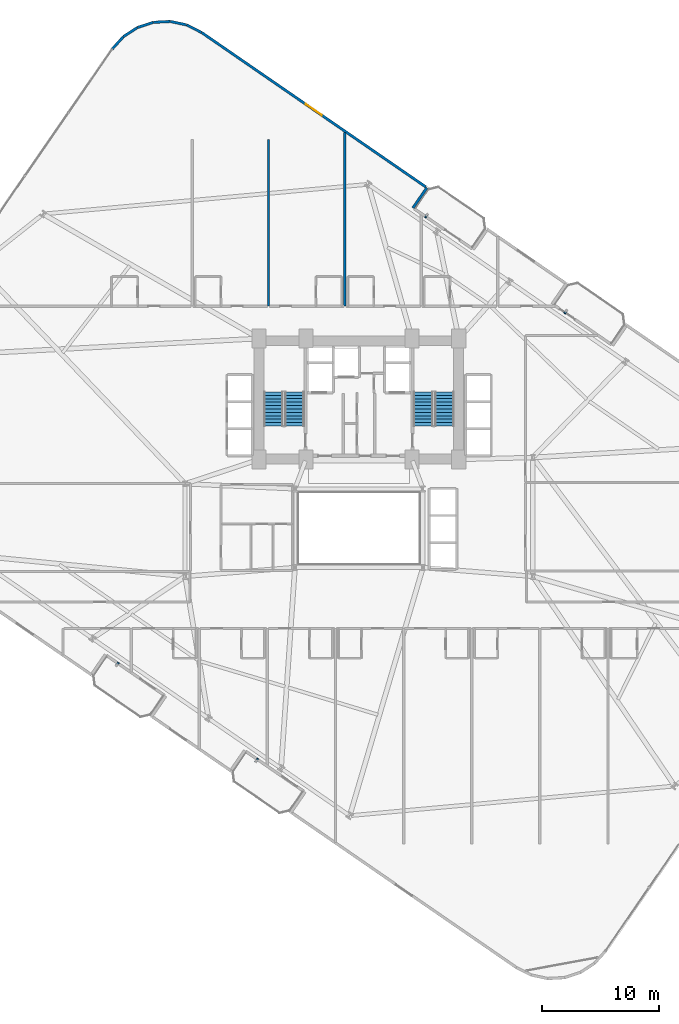
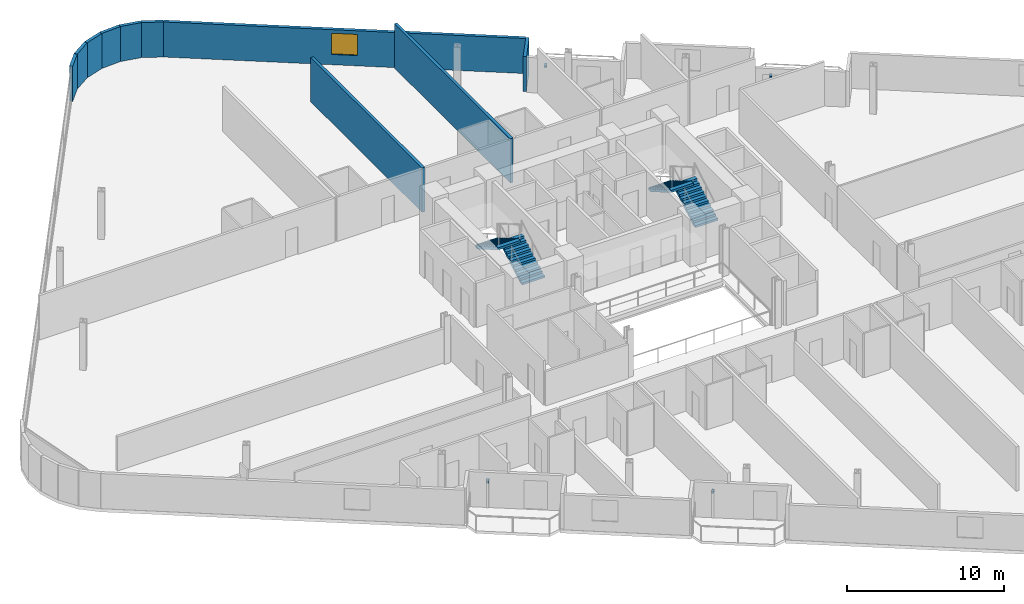
# One storey, part 24 of 27: 10 walls, 4 discrete accessories, 4 stair flights, 1 window, 1 opening, 2 elements without a shape of their own.
"""IFC4 building model written with IfcOpenShell, lengths in metres."""

from ifc_helpers import new_model, si_unit, direction, frame, frame_2d, origin, origin_2d, place, context, subcontext, project, spatial, polyline, rectangle, outline, extrude, source, transform, mapped, material, layer, layer_set, type_object, element, fill, aggregate, save


model = new_model("IFC4")

# Units and contexts
model_context = context("Model", 3, precision=1e-05, world=origin(), true_north=direction((0.0, 1.0)))
body_context = subcontext(model_context, "Body", "Model", "MODEL_VIEW")
ifc_project = project(units=[si_unit("LENGTHUNIT", "METRE"), si_unit("AREAUNIT", "SQUARE_METRE"), si_unit("VOLUMEUNIT", "CUBIC_METRE"), si_unit("PLANEANGLEUNIT", "RADIAN"), si_unit("MASSUNIT", "GRAM", prefix="KILO")], contexts=[model_context])

# Site, building, storey
site_placement = place(None, origin())
site = spatial("IfcSite", under=ifc_project, at=site_placement, CompositionType="ELEMENT")
building_placement = place(site_placement, origin())
building = spatial("IfcBuilding", under=site, at=building_placement, Name="Varnelok Gate Tower", CompositionType="ELEMENT")
storey_placement = place(building_placement, frame((0.0, 0.0, 60.300048828125)))
storey = spatial("IfcBuildingStorey", under=building, at=storey_placement, Name="L14", CompositionType="ELEMENT", Elevation=60.300048828125)

# Wall
ifc_material_1 = material(Name="Concrete C45/55", Category="concrete")
ifc_layer_1 = layer(ifc_material_1, 0.219970703125)
ifc_layer_set_1 = layer_set([ifc_layer_1], Name="Concrete C45/55")
wall_type_1 = type_object("IfcWallType", Name="EW-BALC-220", PredefinedType="SOLIDWALL", material=ifc_layer_set_1)
wall_1_placement = place(storey_placement, frame((43.793701171875, 50.161376953125, 0.0), z_axis=(0.0, 0.0, 1.0), x_axis=(0.567352541689, 0.823475010816, 0.0)))
element("IfcWall", 1, at=wall_1_placement, inside=storey, type_object=wall_type_1, Name="L14 Perimeter Facade Closure Wall 31", PredefinedType="SOLIDWALL", context=body_context, shape_type="SweptSolid", body=[
    extrude(rectangle(XDim=2.099853515625, YDim=0.219970703125, at=frame_2d((1.0498046875, 0.0))), origin(), (0.0, 0.0, 1.0), 2.72998046875),
])

# Wall, opening, window
wall_2_placement = place(storey_placement, frame((44.882080078125, 51.961669921875, 0.0), z_axis=(0.0, 0.0, 1.0), x_axis=(-0.823534427573, 0.567266292497, 0.0)))
wall_2 = element("IfcWall", 2, at=wall_2_placement, inside=storey, type_object=wall_type_1, Name="L14 Perimeter Facade Closure Wall 32", PredefinedType="SOLIDWALL", context=body_context, shape_type="SweptSolid", body=[
    extrude(rectangle(XDim=23.147216796875, YDim=0.219970703125, at=frame_2d((11.57373046875, 0.0))), origin(), (0.0, 0.0, 1.0), 2.72998046875),
])
opening_placement = place(wall_2_placement, frame((10.74853515625, 0.0, 0.800048828125)))
opening = element("IfcOpeningElement", 3, at=opening_placement, cuts=wall_2, Name="Opening WN3", PredefinedType="OPENING", context=body_context, shape_type="SweptSolid", body=[
    extrude(rectangle(XDim=1.64990234375, YDim=1.64990234375, at=frame_2d((0.824951171875, 0.824951171875))), frame((0.0, 0.119873046875, 0.0), z_axis=(0.0, -1.0, 0.0), x_axis=(1.0, 0.0, 0.0)), (0.0, 0.0, 1.0), 0.239990234375),
])
ifc_material_2 = material(Name="Low-E Laminated Double Glazing IGU", Category="glass")
window_type = type_object("IfcWindowType", Name="WN-HTL-1650", PartitioningType="SINGLE_PANEL", PredefinedType="WINDOW", material=ifc_material_2)
window_placement = place(opening_placement, origin())
window = element("IfcWindow", 4, at=window_placement, inside=storey, type_object=window_type, Name="L14 Perimeter Vision Window 32", OverallHeight=1.64990234375, OverallWidth=1.64990234375, PartitioningType="SINGLE_PANEL", PredefinedType="WINDOW", context=body_context, shape_type="SweptSolid", body=[
    extrude(rectangle(XDim=1.64990234375, YDim=1.64990234375, at=frame_2d((0.824951171875, 0.824951171875))), frame((0.0, 0.030029296875, 0.0), z_axis=(0.0, -1.0, 0.0), x_axis=(1.0, 0.0, 0.0)), (0.0, 0.0, 1.0), 0.06005859375),
])
fill(opening, window)

# Walls
wall_3_placement = place(storey_placement, frame((25.79736328125, 65.103759765625, 0.0), z_axis=(0.0, 0.0, 1.0), x_axis=(-0.890559109247, 0.454867533394, 0.0)))
element("IfcWall", 5, at=wall_3_placement, inside=storey, type_object=wall_type_1, Name="L14 Perimeter Facade Closure Wall 33", PredefinedType="SOLIDWALL", context=body_context, shape_type="SweptSolid", body=[
    extrude(rectangle(XDim=1.4130859375, YDim=0.219970703125, at=frame_2d((0.70654296875, 0.0))), origin(), (0.0, 0.0, 1.0), 2.72998046875),
])
for number, where, z_axis, x_axis, name in (
    (6, (24.514404296875, 65.751953125, 0.0), (0.0, 0.0, 1.0), (-0.977952168511, 0.208829011645, 0.0), "L14 Perimeter Facade Closure Wall 34"),
    (7, (23.114990234375, 66.044189453125, 0.0), (0.0, 0.0, 1.0), (-0.998685611917, -0.051254741739, 0.0), "L14 Perimeter Facade Closure Wall 35"),
    (8, (21.68798828125, 65.96435546875, 0.0), (0.0, 0.0, 1.0), (-0.951375653596, -0.308033059501, 0.0), "L14 Perimeter Facade Closure Wall 36"),
    (9, (20.330078125, 65.517822265625, 0.0), (0.0, 0.0, 1.0), (-0.839327688057, -0.543625819899, 0.0), "L14 Perimeter Facade Closure Wall 37"),
    (10, (19.1337890625, 64.735107421875, 0.0), (0.0, 0.0, 1.0), (-0.669952842826, -0.742403655964, 0.0), "L14 Perimeter Facade Closure Wall 38"),
):
    element("IfcWall", number, at=place(storey_placement, frame(where, z_axis=z_axis, x_axis=x_axis)), inside=storey, type_object=wall_type_1, Name=name, PredefinedType="SOLIDWALL", context=body_context, shape_type="SweptSolid", body=[
        extrude(rectangle(XDim=1.4052734375, YDim=0.219970703125, at=frame_2d((0.70263671875, 0.0))), origin(), (0.0, 0.0, 1.0), 2.72998046875),
    ])
ifc_material_3 = material(Name="Gypsum Plasterboard Acoustic Partition", Category="gypsum")
ifc_layer_2 = layer(ifc_material_3, 0.205078125)
ifc_layer_set_2 = layer_set([ifc_layer_2], Name="Gypsum Plasterboard Acoustic Partition")
wall_type_2 = type_object("IfcWallType", Name="PW-PARTY-200", PredefinedType="PARTITIONING", material=ifc_layer_set_2)
wall_4_placement = place(storey_placement, frame((31.5, 41.800048828125, 0.0), z_axis=(0.0, 0.0, 1.0), x_axis=(0.0, 1.0, 0.0)))
element("IfcWall", 11, at=wall_4_placement, inside=storey, type_object=wall_type_2, Name="L14 North Party Wall 2", PredefinedType="PARTITIONING", context=body_context, shape_type="SweptSolid", body=[
    extrude(rectangle(XDim=14.199951171875, YDim=0.205078125, at=frame_2d((7.10009765625, 0.0))), origin(), (0.0, 0.0, 1.0), 3.449951171875),
])
wall_5_placement = place(storey_placement, frame((38.0, 41.800048828125, 0.0), z_axis=(0.0, 0.0, 1.0), x_axis=(0.0, 1.0, 0.0)))
element("IfcWall", 12, at=wall_5_placement, inside=storey, type_object=wall_type_2, Name="L14 North Party Wall 3", PredefinedType="PARTITIONING", context=body_context, shape_type="SweptSolid", body=[
    extrude(rectangle(XDim=14.797119140625, YDim=0.205078125, at=frame_2d((7.3984375, 0.0))), origin(), (0.0, 0.0, 1.0), 3.449951171875),
])

# Stair, stair flights
ifc_material_4 = material(Name="Concrete C50/60", Category="concrete")
stair_type = type_object("IfcStairType", Name="STR-CORE-1650", PredefinedType="HALF_TURN_STAIR", material=ifc_material_4)
stair_1_placement = place(storey_placement, origin())
stair_1 = element("IfcStair", 13, at=stair_1_placement, inside=storey, type_object=stair_type, Name="L14 Exit Stair ST-1", PredefinedType="HALF_TURN_STAIR")
stair_flight_type = type_object("IfcStairFlightType", Name="SFL-CORE-1650", PredefinedType="STRAIGHT", material=ifc_material_4)
stair_flight_1_placement = place(storey_placement, frame((33.72509765625, 31.60009765625, 0.0), z_axis=(0.0, 0.0, 1.0), x_axis=(0.0, 1.0, 0.0)))
stair_flight_1 = element("IfcStairFlight", 14, at=stair_flight_1_placement, type_object=stair_flight_type, Name="ST-1 flight 1", NumberOfRisers=11, NumberOfTreads=10, PredefinedType="STRAIGHT", RiserHeight=0.168181818, TreadLength=0.29, context=body_context, shape_type="SweptSolid", body=[
    extrude(outline(polyline([(0.0, 0.0), (0.0, 0.168212890625), (0.2900390625, 0.168212890625), (0.2900390625, 0.33642578125), (0.580078125, 0.33642578125), (0.580078125, 0.504638671875), (0.8701171875, 0.504638671875), (0.8701171875, 0.672607421875), (1.159912109375, 0.672607421875), (1.159912109375, 0.8408203125), (1.449951171875, 0.8408203125), (1.449951171875, 1.009033203125), (1.739990234375, 1.009033203125), (1.739990234375, 1.17724609375), (2.030029296875, 1.17724609375), (2.030029296875, 1.345458984375), (2.320068359375, 1.345458984375), (2.320068359375, 1.513671875), (2.610107421875, 1.513671875), (2.610107421875, 1.681884765625), (2.89990234375, 1.681884765625), (2.89990234375, 1.85009765625), (2.89990234375, 1.508544921875), (0.298828125, 0.0), (0.0, 0.0)])), frame((0.0, 0.824951171875, 0.0), z_axis=(0.0, -1.0, 0.0), x_axis=(1.0, 0.0, 0.0)), (0.0, 0.0, 1.0), 1.64990234375),
])
stair_flight_2_placement = place(storey_placement, frame((31.925048828125, 34.5, 1.849853515625), z_axis=(0.0, 0.0, 1.0), x_axis=(0.0, -1.0, 0.0)))
stair_flight_2 = element("IfcStairFlight", 15, at=stair_flight_2_placement, type_object=stair_flight_type, Name="ST-1 flight 2", NumberOfRisers=11, NumberOfTreads=10, PredefinedType="STRAIGHT", RiserHeight=0.168181818, TreadLength=0.29, context=body_context, shape_type="SweptSolid", body=[
    extrude(outline(polyline([(0.0, 0.0), (0.0, 0.168212890625), (0.2900390625, 0.168212890625), (0.2900390625, 0.33642578125), (0.580078125, 0.33642578125), (0.580078125, 0.504638671875), (0.8701171875, 0.504638671875), (0.8701171875, 0.672607421875), (1.159912109375, 0.672607421875), (1.159912109375, 0.8408203125), (1.449951171875, 0.8408203125), (1.449951171875, 1.009033203125), (1.739990234375, 1.009033203125), (1.739990234375, 1.17724609375), (2.030029296875, 1.17724609375), (2.030029296875, 1.345458984375), (2.320068359375, 1.345458984375), (2.320068359375, 1.513671875), (2.610107421875, 1.513671875), (2.610107421875, 1.681884765625), (2.89990234375, 1.681884765625), (2.89990234375, 1.85009765625), (2.89990234375, 1.508544921875), (0.298828125, 0.0), (0.0, 0.0)])), frame((0.0, 0.824951171875, 0.0), z_axis=(0.0, -1.0, 0.0), x_axis=(1.0, 0.0, 0.0)), (0.0, 0.0, 1.0), 1.64990234375),
])
aggregate(stair_1, [stair_flight_1, stair_flight_2])

stair_2_placement = place(storey_placement, origin())
stair_2 = element("IfcStair", 16, at=stair_2_placement, inside=storey, type_object=stair_type, Name="L14 Exit Stair ST-2", PredefinedType="HALF_TURN_STAIR")
stair_flight_3_placement = place(storey_placement, frame((46.47509765625, 31.60009765625, 0.0), z_axis=(0.0, 0.0, 1.0), x_axis=(0.0, 1.0, 0.0)))
stair_flight_3 = element("IfcStairFlight", 17, at=stair_flight_3_placement, type_object=stair_flight_type, Name="ST-2 flight 1", NumberOfRisers=11, NumberOfTreads=10, PredefinedType="STRAIGHT", RiserHeight=0.168181818, TreadLength=0.29, context=body_context, shape_type="SweptSolid", body=[
    extrude(outline(polyline([(0.0, 0.0), (0.0, 0.168212890625), (0.2900390625, 0.168212890625), (0.2900390625, 0.33642578125), (0.580078125, 0.33642578125), (0.580078125, 0.504638671875), (0.8701171875, 0.504638671875), (0.8701171875, 0.672607421875), (1.159912109375, 0.672607421875), (1.159912109375, 0.8408203125), (1.449951171875, 0.8408203125), (1.449951171875, 1.009033203125), (1.739990234375, 1.009033203125), (1.739990234375, 1.17724609375), (2.030029296875, 1.17724609375), (2.030029296875, 1.345458984375), (2.320068359375, 1.345458984375), (2.320068359375, 1.513671875), (2.610107421875, 1.513671875), (2.610107421875, 1.681884765625), (2.89990234375, 1.681884765625), (2.89990234375, 1.85009765625), (2.89990234375, 1.508544921875), (0.298828125, 0.0), (0.0, 0.0)])), frame((0.0, 0.824951171875, 0.0), z_axis=(0.0, -1.0, 0.0), x_axis=(1.0, 0.0, 0.0)), (0.0, 0.0, 1.0), 1.64990234375),
])
stair_flight_4_placement = place(storey_placement, frame((44.675048828125, 34.5, 1.849853515625), z_axis=(0.0, 0.0, 1.0), x_axis=(0.0, -1.0, 0.0)))
stair_flight_4 = element("IfcStairFlight", 18, at=stair_flight_4_placement, type_object=stair_flight_type, Name="ST-2 flight 2", NumberOfRisers=11, NumberOfTreads=10, PredefinedType="STRAIGHT", RiserHeight=0.168181818, TreadLength=0.29, context=body_context, shape_type="SweptSolid", body=[
    extrude(outline(polyline([(0.0, 0.0), (0.0, 0.168212890625), (0.2900390625, 0.168212890625), (0.2900390625, 0.33642578125), (0.580078125, 0.33642578125), (0.580078125, 0.504638671875), (0.8701171875, 0.504638671875), (0.8701171875, 0.672607421875), (1.159912109375, 0.672607421875), (1.159912109375, 0.8408203125), (1.449951171875, 0.8408203125), (1.449951171875, 1.009033203125), (1.739990234375, 1.009033203125), (1.739990234375, 1.17724609375), (2.030029296875, 1.17724609375), (2.030029296875, 1.345458984375), (2.320068359375, 1.345458984375), (2.320068359375, 1.513671875), (2.610107421875, 1.513671875), (2.610107421875, 1.681884765625), (2.89990234375, 1.681884765625), (2.89990234375, 1.85009765625), (2.89990234375, 1.508544921875), (0.298828125, 0.0), (0.0, 0.0)])), frame((0.0, 0.824951171875, 0.0), z_axis=(0.0, -1.0, 0.0), x_axis=(1.0, 0.0, 0.0)), (0.0, 0.0, 1.0), 1.64990234375),
])
aggregate(stair_2, [stair_flight_3, stair_flight_4])

# Discrete accessories
ifc_material_5 = material(Name="Structural Steel ASTM A500 Grade C", Category="steel")
discrete_accessory_type = type_object("IfcDiscreteAccessoryType", Name="ACC-BAGUETTE-BRK", PredefinedType="BRACKET", material=ifc_material_5)
shared_shape = source(origin(), body_context, "Body", "SweptSolid", [
    extrude(rectangle(XDim=0.159912109375, YDim=0.340087890625, at=origin_2d()), origin(), (0.0, 0.0, 1.0), 0.139892578125),
])
for number, where, z_axis, x_axis, name in (
    (19, (18.64453125, 11.32421875, 1.97998046875), (0.0, 0.0, 1.0), (0.823532597628, -0.567268949127, 0.0), "L14 Terracotta Baguette Bracket 1.1"),
    (20, (30.50341796875, 3.155517578125, 1.97998046875), (0.0, 0.0, 1.0), (0.823532597628, -0.567268949127, 0.0), "L14 Terracotta Baguette Bracket 2.1"),
    (21, (44.931884765625, 49.48681640625, 1.97998046875), (0.0, 0.0, 1.0), (0.823532597628, -0.567268949127, 0.0), "L14 Terracotta Baguette Bracket 3.1"),
    (22, (56.790771484375, 41.318115234375, 1.97998046875), (0.0, 0.0, 1.0), (0.823532597628, -0.567268949127, 0.0), "L14 Terracotta Baguette Bracket 4.1"),
):
    element("IfcDiscreteAccessory", number, at=place(storey_placement, frame(where, z_axis=z_axis, x_axis=x_axis)), inside=storey, type_object=discrete_accessory_type, Name=name, PredefinedType="BRACKET", context=body_context, shape_type="MappedRepresentation", body=[
        mapped(shared_shape, transform((0.0, 0.0, 0.0), scale=1.0)),
    ])

save(model, "model.ifc")
